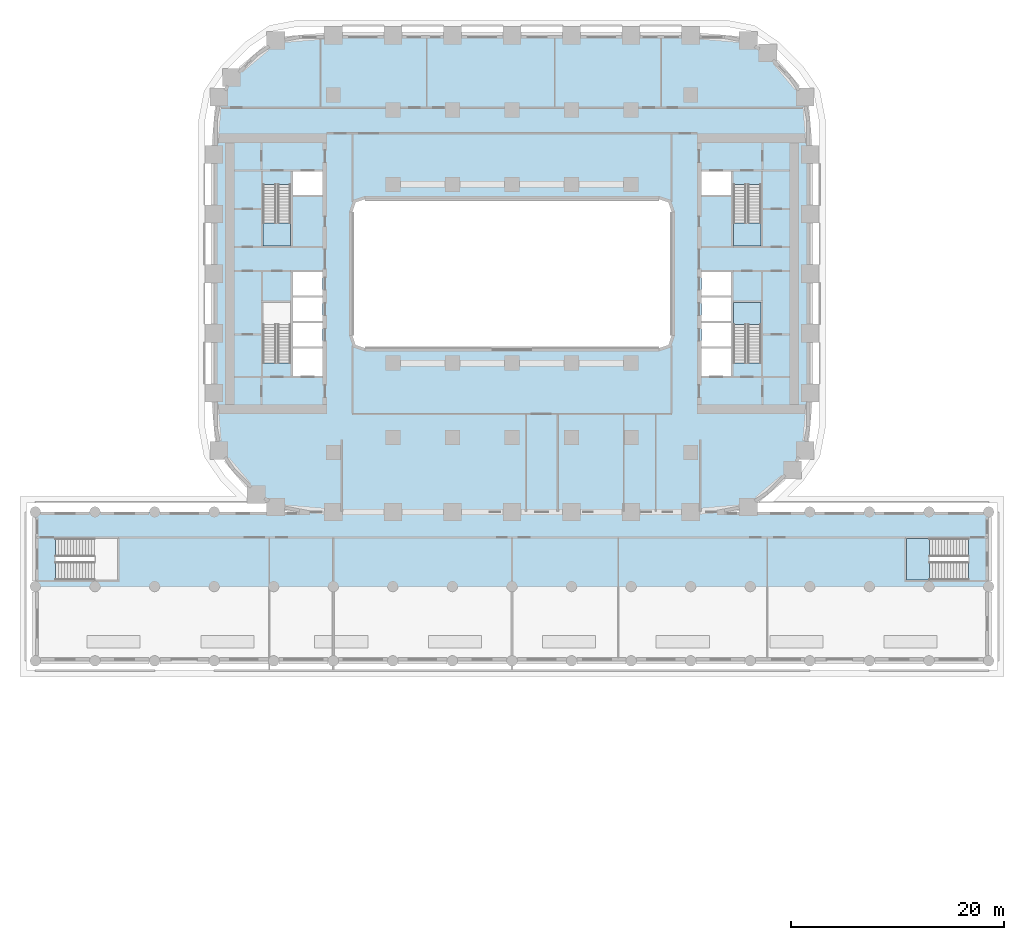
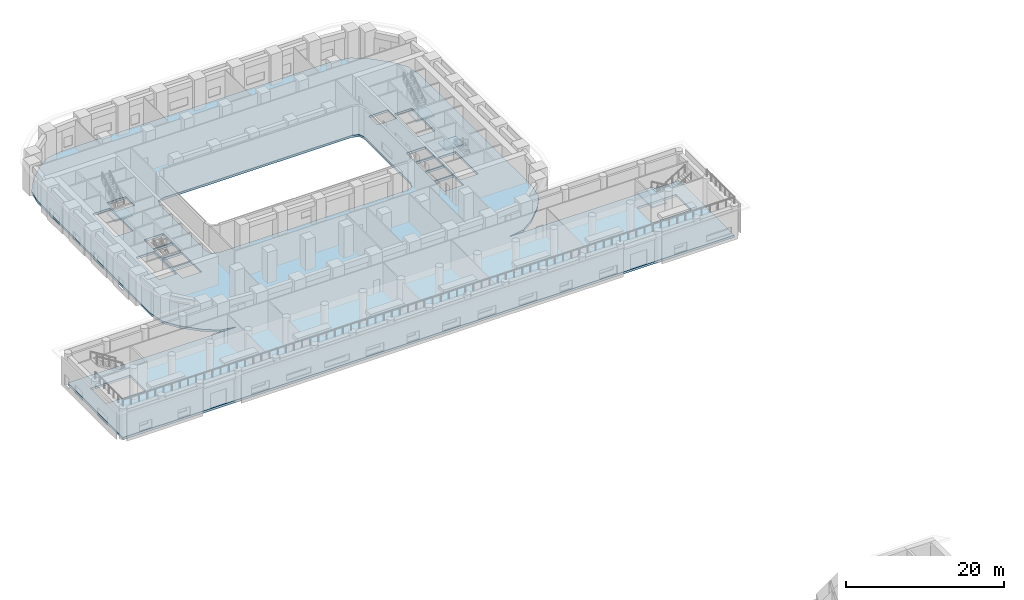
# One storey, part 9 of 35: 5 slabs, 4 elements without a shape of their own.
"""IFC4 building model written with IfcOpenShell, lengths in metres."""

from ifc_helpers import new_model, si_unit, direction, frame, origin, place, context, subcontext, project, spatial, polyline, outline, extrude, material, layer, layer_set, type_object, element, aggregate, save


model = new_model("IFC4")

# Units and contexts
model_context = context("Model", 3, precision=1e-05, world=origin(), true_north=direction((0.0, 1.0)))
body_context = subcontext(model_context, "Body", "Model", "MODEL_VIEW")
ifc_project = project(units=[si_unit("LENGTHUNIT", "METRE"), si_unit("AREAUNIT", "SQUARE_METRE"), si_unit("VOLUMEUNIT", "CUBIC_METRE"), si_unit("PLANEANGLEUNIT", "RADIAN"), si_unit("MASSUNIT", "GRAM", prefix="KILO")], contexts=[model_context])

# Site, building, storey
site_placement = place(None, origin())
site = spatial("IfcSite", under=ifc_project, at=site_placement, CompositionType="ELEMENT")
building_placement = place(site_placement, origin())
building = spatial("IfcBuilding", under=site, at=building_placement, Name="Kiln Ring Residences", CompositionType="ELEMENT")
storey_placement = place(building_placement, frame((0.0, 0.0, 20.89990234375)))
storey = spatial("IfcBuildingStorey", under=building, at=storey_placement, Name="L04", CompositionType="ELEMENT", Elevation=20.89990234375)

# Stair, slab
ifc_material_1 = material(Name="Concrete C40/50", Category="concrete")
stair_type_1 = type_object("IfcStairType", Name="CORE-STAIR", PredefinedType="HALF_TURN_STAIR", material=ifc_material_1)
placement_1 = place(storey_placement, origin())
stair_1 = element("IfcStair", 1, at=placement_1, inside=storey, type_object=stair_type_1, Name="L04 stair W-STN", PredefinedType="HALF_TURN_STAIR")
ifc_material_2 = material(Name="Concrete C40/50", Category="concrete")
ifc_layer_1 = layer(ifc_material_2, 0.199951171875)
ifc_layer_set_1 = layer_set([ifc_layer_1], Name="CORE-STAIR-LANDING")
slab_type_1 = type_object("IfcSlabType", Name="CORE-STAIR-LANDING", PredefinedType="LANDING", material=ifc_layer_set_1)
placement_2 = place(storey_placement, frame((0.0, 0.0, 2.2001953125)))
slab_1 = element("IfcSlab", 2, at=placement_2, type_object=slab_type_1, Name="W-STN landing 1", PredefinedType="LANDING", context=body_context, shape_type="SweptSolid", body=[
    extrude(outline(polyline([(-23.39990234375, 4.760009765625), (-23.39990234375, 2.60009765625), (-20.800048828125, 2.60009765625), (-20.800048828125, 4.760009765625), (-23.39990234375, 4.760009765625)])), origin(), (0.0, 0.0, 1.0), 0.199951171875),
])
aggregate(stair_1, [slab_1])

stair_2 = element("IfcStair", 3, at=placement_1, inside=storey, type_object=stair_type_1, Name="L04 stair E-STN", PredefinedType="HALF_TURN_STAIR")
slab_2 = element("IfcSlab", 4, at=placement_2, type_object=slab_type_1, Name="E-STN landing 1", PredefinedType="LANDING", context=body_context, shape_type="SweptSolid", body=[
    extrude(outline(polyline([(20.800048828125, 4.760009765625), (20.800048828125, 2.60009765625), (23.39990234375, 2.60009765625), (23.39990234375, 4.760009765625), (20.800048828125, 4.760009765625)])), origin(), (0.0, 0.0, 1.0), 0.199951171875),
])
aggregate(stair_2, [slab_2])

stair_3 = element("IfcStair", 5, at=placement_1, inside=storey, type_object=stair_type_1, Name="L04 stair E-STS", PredefinedType="HALF_TURN_STAIR")
slab_3 = element("IfcSlab", 6, at=placement_2, type_object=slab_type_1, Name="E-STS landing 1", PredefinedType="LANDING", context=body_context, shape_type="SweptSolid", body=[
    extrude(outline(polyline([(23.39990234375, -4.760009765625), (23.39990234375, -2.699951171875), (20.800048828125, -2.699951171875), (20.800048828125, -4.760009765625), (23.39990234375, -4.760009765625)])), origin(), (0.0, 0.0, 1.0), 0.199951171875),
])
aggregate(stair_3, [slab_3])

# Slab
ifc_material_3 = material(Name="Concrete C40/50", Category="concrete")
ifc_layer_2 = layer(ifc_material_3, 0.35009765625)
ifc_layer_set_2 = layer_set([ifc_layer_2], Name="Floor slab 350")
slab_type_2 = type_object("IfcSlabType", Name="Floor slab 350", PredefinedType="FLOOR", material=ifc_layer_set_2)
slab_4_placement = place(storey_placement, frame((0.0, 0.0, -0.349853515625)))
element("IfcSlab", 7, at=slab_4_placement, inside=storey, type_object=slab_type_2, Name="Floor slab L04 1", PredefinedType="FLOOR", context=body_context, shape_type="SweptSolid", body=[
    extrude(outline(polyline([(44.800048828125, -36.39990234375), (44.800048828125, -22.39990234375), (20.0, -22.39990234375), (22.224365234375, -21.975830078125), (24.09716796875, -20.702880859375), (26.302978515625, -18.4970703125), (27.57568359375, -16.624267578125), (28.0, -14.39990234375), (28.0, 14.39990234375), (27.57568359375, 16.624267578125), (26.302978515625, 18.4970703125), (24.09716796875, 20.702880859375), (22.224365234375, 21.975830078125), (20.0, 22.39990234375), (-20.0, 22.39990234375), (-22.224365234375, 21.975830078125), (-24.09716796875, 20.702880859375), (-26.302978515625, 18.4970703125), (-27.57568359375, 16.624267578125), (-28.0, 14.39990234375), (-28.0, -14.39990234375), (-27.57568359375, -16.624267578125), (-26.302978515625, -18.4970703125), (-24.09716796875, -20.702880859375), (-22.224365234375, -21.975830078125), (-20.0, -22.39990234375), (-44.800048828125, -22.39990234375), (-44.800048828125, -36.39990234375), (44.800048828125, -36.39990234375)]), holes=[polyline([(-14.699951171875, -6.699951171875), (-15.0, -5.800048828125), (-15.0, 5.800048828125), (-14.699951171875, 6.699951171875), (-13.800048828125, 7.0), (13.800048828125, 7.0), (14.699951171875, 6.699951171875), (15.0, 5.800048828125), (15.0, -5.800048828125), (14.699951171875, -6.699951171875), (13.800048828125, -7.0), (-13.800048828125, -7.0), (-14.699951171875, -6.699951171875)]), polyline([(42.89794921875, -24.89990234375), (42.89794921875, -28.800048828125), (37.10009765625, -28.800048828125), (37.10009765625, -24.89990234375), (42.89794921875, -24.89990234375)]), polyline([(20.800048828125, -8.39794921875), (20.800048828125, -2.699951171875), (23.39990234375, -2.699951171875), (23.39990234375, -8.39794921875), (20.800048828125, -8.39794921875)]), polyline([(20.800048828125, 2.60009765625), (20.800048828125, 8.39794921875), (23.39990234375, 8.39794921875), (23.39990234375, 2.60009765625), (20.800048828125, 2.60009765625)]), polyline([(17.800048828125, -9.60009765625), (17.800048828125, -7.050048828125), (20.60009765625, -7.050048828125), (20.60009765625, -9.60009765625), (17.800048828125, -9.60009765625)]), polyline([(17.800048828125, -6.85009765625), (17.800048828125, -4.64990234375), (20.60009765625, -4.64990234375), (20.60009765625, -6.85009765625), (17.800048828125, -6.85009765625)]), polyline([(17.800048828125, -4.449951171875), (17.800048828125, -2.25), (20.60009765625, -2.25), (20.60009765625, -4.449951171875), (17.800048828125, -4.449951171875)]), polyline([(17.800048828125, -2.050048828125), (17.800048828125, 0.14990234375), (20.60009765625, 0.14990234375), (20.60009765625, -2.050048828125), (17.800048828125, -2.050048828125)]), polyline([(17.800048828125, 7.39990234375), (17.800048828125, 9.60009765625), (20.60009765625, 9.60009765625), (20.60009765625, 7.39990234375), (17.800048828125, 7.39990234375)]), polyline([(-17.800048828125, -9.60009765625), (-20.60009765625, -9.60009765625), (-20.60009765625, -7.050048828125), (-17.800048828125, -7.050048828125), (-17.800048828125, -9.60009765625)]), polyline([(-17.800048828125, -6.85009765625), (-20.60009765625, -6.85009765625), (-20.60009765625, -4.64990234375), (-17.800048828125, -4.64990234375), (-17.800048828125, -6.85009765625)]), polyline([(-17.800048828125, -4.449951171875), (-20.60009765625, -4.449951171875), (-20.60009765625, -2.25), (-17.800048828125, -2.25), (-17.800048828125, -4.449951171875)]), polyline([(-17.800048828125, -2.050048828125), (-20.60009765625, -2.050048828125), (-20.60009765625, 0.14990234375), (-17.800048828125, 0.14990234375), (-17.800048828125, -2.050048828125)]), polyline([(-17.800048828125, 7.39990234375), (-20.60009765625, 7.39990234375), (-20.60009765625, 9.60009765625), (-17.800048828125, 9.60009765625), (-17.800048828125, 7.39990234375)]), polyline([(-20.800048828125, -8.39794921875), (-23.39990234375, -8.39794921875), (-23.39990234375, -2.699951171875), (-20.800048828125, -2.699951171875), (-20.800048828125, -8.39794921875)]), polyline([(-20.800048828125, 2.60009765625), (-23.39990234375, 2.60009765625), (-23.39990234375, 8.39794921875), (-20.800048828125, 8.39794921875), (-20.800048828125, 2.60009765625)]), polyline([(-42.89794921875, -28.800048828125), (-42.89794921875, -24.89990234375), (-37.10009765625, -24.89990234375), (-37.10009765625, -28.800048828125), (-42.89794921875, -28.800048828125)])]), origin(), (0.0, 0.0, 1.0), 0.349853515625),
])

# Stair, slab
ifc_material_4 = material(Name="Concrete C40/50", Category="concrete")
stair_type_2 = type_object("IfcStairType", Name="PODIUM-STAIR", PredefinedType="HALF_TURN_STAIR", material=ifc_material_4)
stair_4 = element("IfcStair", 8, at=placement_1, inside=storey, type_object=stair_type_2, Name="L04 exit stair PS-E", PredefinedType="HALF_TURN_STAIR")
ifc_material_5 = material(Name="Concrete C40/50", Category="concrete")
ifc_layer_3 = layer(ifc_material_5, 0.199951171875)
ifc_layer_set_3 = layer_set([ifc_layer_3], Name="PODIUM-STAIR-LANDING")
slab_type_3 = type_object("IfcSlabType", Name="PODIUM-STAIR-LANDING", PredefinedType="LANDING", material=ifc_layer_set_3)
slab_5 = element("IfcSlab", 9, at=placement_2, type_object=slab_type_3, Name="PS-E landing 1", PredefinedType="LANDING", context=body_context, shape_type="SweptSolid", body=[
    extrude(outline(polyline([(39.260009765625, -24.89990234375), (37.10009765625, -24.89990234375), (37.10009765625, -28.800048828125), (39.260009765625, -28.800048828125), (39.260009765625, -24.89990234375)])), origin(), (0.0, 0.0, 1.0), 0.199951171875),
])
aggregate(stair_4, [slab_5])

save(model, "model.ifc")
